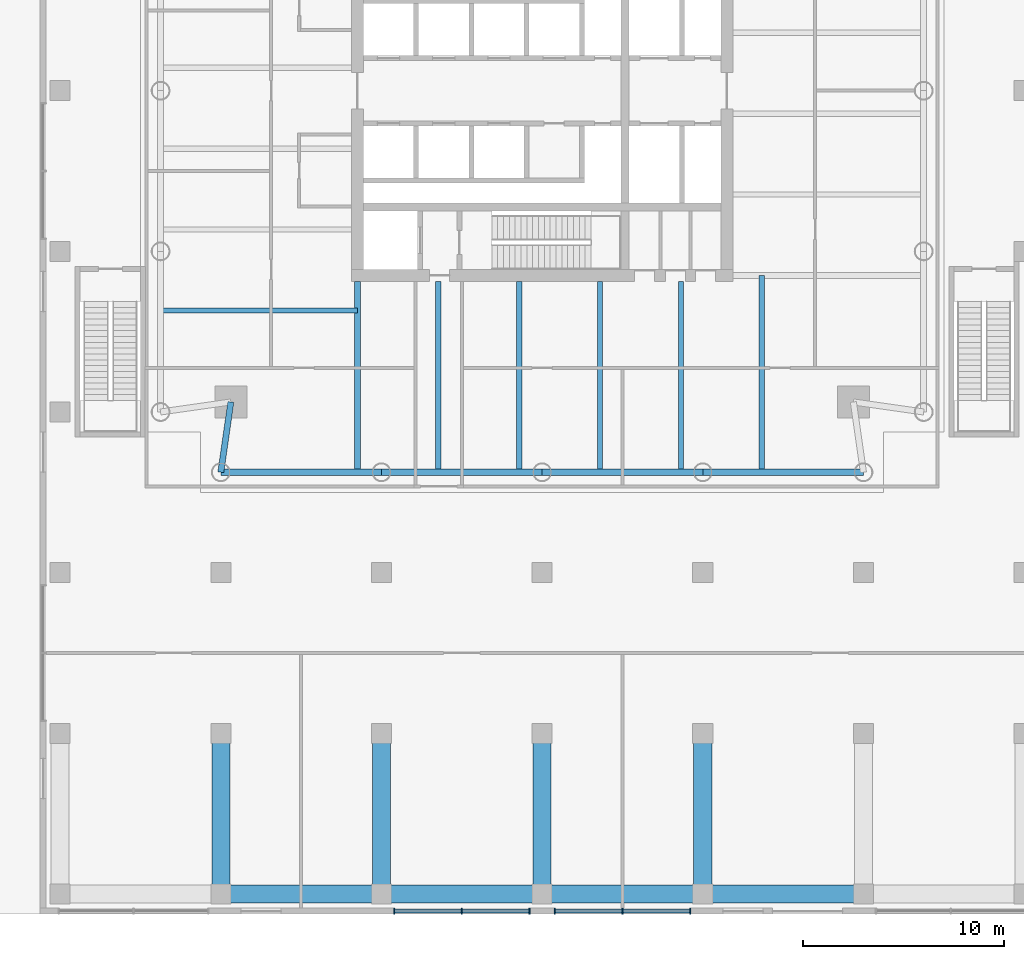
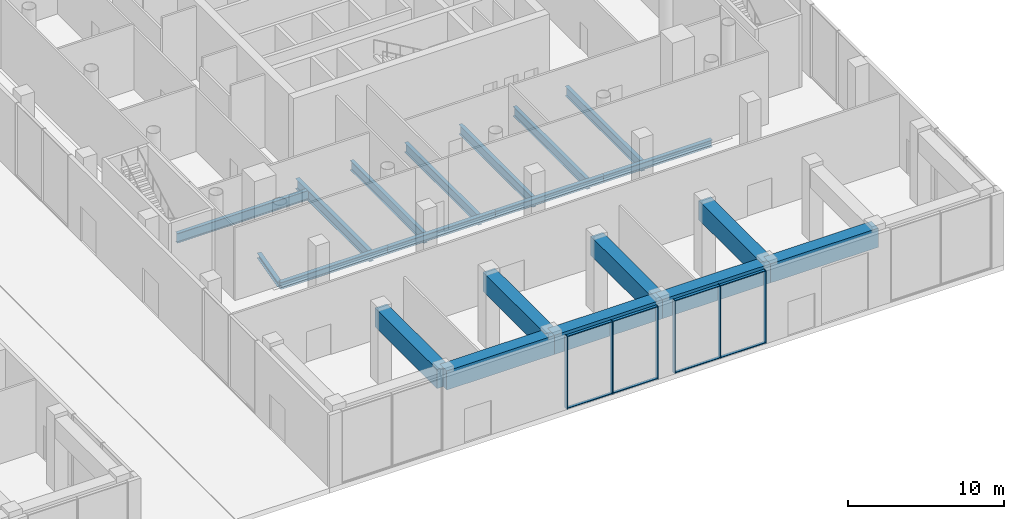
# One storey, part 10 of 39: 20 beams, 14 members, 2 elements without a shape of their own.
"""IFC4 building model written with IfcOpenShell, lengths in metres."""

from ifc_helpers import new_model, si_unit, direction, frame, origin, origin_2d, place, context, subcontext, project, spatial, rectangle, i_section, extrude, material, material_profile, profile_set, type_object, element, aggregate, save


model = new_model("IFC4")

# Units and contexts
model_context = context("Model", 3, precision=1e-05, world=origin(), true_north=direction((0.0, 1.0)))
body_context = subcontext(model_context, "Body", "Model", "MODEL_VIEW")
ifc_project = project(units=[si_unit("LENGTHUNIT", "METRE"), si_unit("AREAUNIT", "SQUARE_METRE"), si_unit("VOLUMEUNIT", "CUBIC_METRE"), si_unit("PLANEANGLEUNIT", "RADIAN"), si_unit("MASSUNIT", "GRAM", prefix="KILO")], contexts=[model_context])

# Site, building, storey
site_placement = place(None, origin())
site = spatial("IfcSite", under=ifc_project, at=site_placement, CompositionType="ELEMENT")
building_placement = place(site_placement, origin())
building = spatial("IfcBuilding", under=site, at=building_placement, Name="Ostroluk Exchange", CompositionType="ELEMENT")
storey_placement = place(building_placement, origin())
storey = spatial("IfcBuildingStorey", under=building, at=storey_placement, Name="L00", CompositionType="ELEMENT", Elevation=0.0)

# Beams
ifc_material_1 = material(Name="Steel S355", Category="steel")
ifc_material_profile_1 = material_profile(ifc_material_1, i_section(OverallWidth=0.300048828125, OverallDepth=0.39990234375, WebThickness=0.013427734375, FlangeThickness=0.02392578125, FilletRadius=0.027099609375, at=origin_2d()), Name="HEB 400")
ifc_profile_set_1 = profile_set([ifc_material_profile_1], Name="Steel S355")
beam_type_1 = type_object("IfcBeamType", Name="Corner edge beam HEB 400", PredefinedType="SPANDREL", material=ifc_profile_set_1)
beam_1_placement = place(storey_placement, frame((101.5, 30.5, -0.5), z_axis=(-0.141421356237, -0.989949493661, 0.0), x_axis=(0.989949493661, -0.141421356237, 0.0)))
element("IfcBeam", 1, at=beam_1_placement, inside=storey, type_object=beam_type_1, Name="T2 west corner edge beam b", PredefinedType="SPANDREL", context=body_context, shape_type="SweptSolid", body=[
    extrude(i_section(OverallWidth=0.300048828125, OverallDepth=0.39990234375, WebThickness=0.013427734375, FlangeThickness=0.02392578125, FilletRadius=0.027099609375, at=origin_2d()), origin(), (0.0, 0.0, 1.0), 3.53564453125),
])
ifc_material_2 = material(Name="Steel S355", Category="steel")
ifc_material_profile_2 = material_profile(ifc_material_2, i_section(OverallWidth=0.264892578125, OverallDepth=0.7529296875, WebThickness=0.01318359375, FlangeThickness=0.01708984375, FilletRadius=0.01708984375, at=origin_2d()), Name="IPE 750x147")
ifc_profile_set_2 = profile_set([ifc_material_profile_2], Name="Steel S355")
beam_type_2 = type_object("IfcBeamType", Name="Floor beam IPE 750x147", PredefinedType="BEAM", material=ifc_profile_set_2)
beam_2_placement = place(storey_placement, frame((107.800048828125, 35.05712890625, -0.676513671875), z_axis=(-1.0, 0.0, 0.0), x_axis=(0.0, -1.0, 0.0)))
element("IfcBeam", 2, at=beam_2_placement, inside=storey, type_object=beam_type_2, Name="T2 west floor beam 5", PredefinedType="BEAM", context=body_context, shape_type="SweptSolid", body=[
    extrude(i_section(OverallWidth=0.264892578125, OverallDepth=0.7529296875, WebThickness=0.01318359375, FlangeThickness=0.01708984375, FilletRadius=0.01708984375, at=origin_2d()), origin(), (0.0, 0.0, 1.0), 9.800048828125),
])
for number, where, z_axis, x_axis, name in (
    (3, (111.82861328125, 36.5, -0.676513671875), (0.0, -1.0, 0.0), (1.0, 0.0, 0.0), "T2 south floor beam 1"),
    (4, (115.857177734375, 36.5, -0.676513671875), (0.0, -1.0, 0.0), (1.0, 0.0, 0.0), "T2 south floor beam 2"),
    (5, (119.8857421875, 36.5, -0.676513671875), (0.0, -1.0, 0.0), (1.0, 0.0, 0.0), "T2 south floor beam 3"),
    (6, (123.914306640625, 36.5, -0.676513671875), (0.0, -1.0, 0.0), (1.0, 0.0, 0.0), "T2 south floor beam 4"),
):
    element("IfcBeam", number, at=place(storey_placement, frame(where, z_axis=z_axis, x_axis=x_axis)), inside=storey, type_object=beam_type_2, Name=name, PredefinedType="BEAM", context=body_context, shape_type="SweptSolid", body=[
        extrude(i_section(OverallWidth=0.264892578125, OverallDepth=0.7529296875, WebThickness=0.01318359375, FlangeThickness=0.01708984375, FilletRadius=0.01708984375, at=origin_2d()), origin(), (0.0, 0.0, 1.0), 9.5),
    ])
beam_3_placement = place(storey_placement, frame((127.94287109375, 36.800048828125, -0.676513671875), z_axis=(0.0, -1.0, 0.0), x_axis=(1.0, 0.0, 0.0)))
element("IfcBeam", 7, at=beam_3_placement, inside=storey, type_object=beam_type_2, Name="T2 south floor beam 5", PredefinedType="BEAM", context=body_context, shape_type="SweptSolid", body=[
    extrude(i_section(OverallWidth=0.264892578125, OverallDepth=0.7529296875, WebThickness=0.01318359375, FlangeThickness=0.01708984375, FilletRadius=0.01708984375, at=origin_2d()), origin(), (0.0, 0.0, 1.0), 9.800048828125),
])
ifc_material_3 = material(Name="Steel S355", Category="steel")
ifc_material_profile_3 = material_profile(ifc_material_3, i_section(OverallWidth=0.300048828125, OverallDepth=0.800048828125, WebThickness=0.017578125, FlangeThickness=0.032958984375, FilletRadius=0.030029296875, at=origin_2d()), Name="HEB 800")
ifc_profile_set_3 = profile_set([ifc_material_profile_3], Name="Steel S355")
beam_type_3 = type_object("IfcBeamType", Name="Girder HEB 800", PredefinedType="BEAM", material=ifc_profile_set_3)
beam_4_placement = place(storey_placement, frame((107.800048828125, 36.5, -0.699951171875), z_axis=(0.0, -1.0, 0.0), x_axis=(1.0, 0.0, 0.0)))
element("IfcBeam", 8, at=beam_4_placement, inside=storey, type_object=beam_type_3, Name="T2 west girder", PredefinedType="BEAM", context=body_context, shape_type="SweptSolid", body=[
    extrude(i_section(OverallWidth=0.300048828125, OverallDepth=0.800048828125, WebThickness=0.017578125, FlangeThickness=0.032958984375, FilletRadius=0.030029296875, at=origin_2d()), origin(), (0.0, 0.0, 1.0), 9.5),
])
ifc_material_4 = material(Name="Steel S355", Category="steel")
ifc_material_profile_4 = material_profile(ifc_material_4, i_section(OverallWidth=0.300048828125, OverallDepth=0.550048828125, WebThickness=0.014892578125, FlangeThickness=0.029052734375, FilletRadius=0.027099609375, at=origin_2d()), Name="HEB 550")
ifc_profile_set_4 = profile_set([ifc_material_profile_4], Name="Steel S355")
beam_type_4 = type_object("IfcBeamType", Name="Moment-connected edge beam HEB 550", PredefinedType="SPANDREL", material=ifc_profile_set_4)
for number, where, z_axis, x_axis, name in (
    (9, (101.0, 27.0, -0.574951171875), (1.0, 0.0, 0.0), (0.0, 1.0, 0.0), "T2 south edge beam 1"),
    (10, (109.0, 27.0, -0.574951171875), (1.0, 0.0, 0.0), (0.0, 1.0, 0.0), "T2 south edge beam 2"),
    (11, (117.0, 27.0, -0.574951171875), (1.0, 0.0, 0.0), (0.0, 1.0, 0.0), "T2 south edge beam 3"),
    (12, (125.0, 27.0, -0.574951171875), (1.0, 0.0, 0.0), (0.0, 1.0, 0.0), "T2 south edge beam 4"),
):
    element("IfcBeam", number, at=place(storey_placement, frame(where, z_axis=z_axis, x_axis=x_axis)), inside=storey, type_object=beam_type_4, Name=name, PredefinedType="SPANDREL", context=body_context, shape_type="SweptSolid", body=[
        extrude(i_section(OverallWidth=0.300048828125, OverallDepth=0.550048828125, WebThickness=0.014892578125, FlangeThickness=0.029052734375, FilletRadius=0.027099609375, at=origin_2d()), origin(), (0.0, 0.0, 1.0), 8.0),
    ])
ifc_material_5 = material(Name="Concrete C50/60", Category="concrete")
ifc_material_profile_5 = material_profile(ifc_material_5, rectangle(XDim=0.89990234375, YDim=1.5, at=origin_2d()), Name="RC 900x1500")
ifc_profile_set_5 = profile_set([ifc_material_profile_5], Name="Concrete C50/60")
beam_type_5 = type_object("IfcBeamType", Name="Podium edge beam RC 900x1500", PredefinedType="BEAM", material=ifc_profile_set_5)
for number, where, z_axis, x_axis, name in (
    (13, (101.0, 6.0, 4.949951171875), (0.0, 1.0, 0.0), (-1.0, 0.0, 0.0), "Terrace beam L01 east S 101"),
    (14, (109.0, 6.0, 4.949951171875), (0.0, 1.0, 0.0), (-1.0, 0.0, 0.0), "Terrace beam L01 east S 109"),
    (15, (117.0, 6.0, 4.949951171875), (0.0, 1.0, 0.0), (-1.0, 0.0, 0.0), "Terrace beam L01 east S 117"),
    (16, (125.0, 6.0, 4.949951171875), (0.0, 1.0, 0.0), (-1.0, 0.0, 0.0), "Terrace beam L01 east S 125"),
    (17, (101.0, 6.0, 4.949951171875), (1.0, 0.0, 0.0), (0.0, 1.0, 0.0), "Terrace bay beam L01 Y6-101"),
    (18, (109.0, 6.0, 4.949951171875), (1.0, 0.0, 0.0), (0.0, 1.0, 0.0), "Terrace bay beam L01 Y6-109"),
    (19, (117.0, 6.0, 4.949951171875), (1.0, 0.0, 0.0), (0.0, 1.0, 0.0), "Terrace bay beam L01 Y6-117"),
    (20, (125.0, 6.0, 4.949951171875), (1.0, 0.0, 0.0), (0.0, 1.0, 0.0), "Terrace bay beam L01 Y6-125"),
):
    element("IfcBeam", number, at=place(storey_placement, frame(where, z_axis=z_axis, x_axis=x_axis)), inside=storey, type_object=beam_type_5, Name=name, PredefinedType="BEAM", context=body_context, shape_type="SweptSolid", body=[
        extrude(rectangle(XDim=0.89990234375, YDim=1.5, at=origin_2d()), origin(), (0.0, 0.0, 1.0), 8.0),
    ])

# Curtain wall, members
ifc_material_6 = material(Name="Laminated clear glass", Category="glass")
curtain_wall_type = type_object("IfcCurtainWallType", Name="Podium shopfront", PredefinedType="USERDEFINED", material=ifc_material_6)
curtain_wall_1_placement = place(storey_placement, origin())
curtain_wall_1 = element("IfcCurtainWall", 21, at=curtain_wall_1_placement, inside=storey, type_object=curtain_wall_type, Name="Podium east S shopfront 2", ObjectType="STICK SHOPFRONT", PredefinedType="USERDEFINED")
ifc_material_7 = material(Name="Aluminium mullion", Category="aluminium")
ifc_material_profile_6 = material_profile(ifc_material_7, rectangle(XDim=0.300048828125, YDim=0.06005859375, at=origin_2d()), Name="Shopfront mullion 60 x 300")
ifc_profile_set_6 = profile_set([ifc_material_profile_6], Name="Aluminium mullion")
member_type_1 = type_object("IfcMemberType", Name="Shopfront mullion 60 x 300", PredefinedType="MULLION", material=ifc_profile_set_6)
member_1_placement = place(storey_placement, frame((109.6298828125, 5.14990234375, 0.0), z_axis=(0.0, 0.0, 1.0), x_axis=(0.0, 1.0, 0.0)))
member_1 = element("IfcMember", 22, at=member_1_placement, type_object=member_type_1, Name="CW-SF1 mullion 1", PredefinedType="MULLION", context=body_context, shape_type="SweptSolid", body=[
    extrude(rectangle(XDim=0.300048828125, YDim=0.06005859375, at=origin_2d()), origin(), (0.0, 0.0, 1.0), 5.699951171875),
])
member_2_placement = place(storey_placement, frame((113.0, 5.14990234375, 0.0), z_axis=(0.0, 0.0, 1.0), x_axis=(0.0, 1.0, 0.0)))
member_2 = element("IfcMember", 23, at=member_2_placement, type_object=member_type_1, Name="CW-SF1 mullion 2", PredefinedType="MULLION", context=body_context, shape_type="SweptSolid", body=[
    extrude(rectangle(XDim=0.300048828125, YDim=0.06005859375, at=origin_2d()), origin(), (0.0, 0.0, 1.0), 5.699951171875),
])
member_3_placement = place(storey_placement, frame((116.3701171875, 5.14990234375, 0.0), z_axis=(0.0, 0.0, 1.0), x_axis=(0.0, 1.0, 0.0)))
member_3 = element("IfcMember", 24, at=member_3_placement, type_object=member_type_1, Name="CW-SF1 mullion 3", PredefinedType="MULLION", context=body_context, shape_type="SweptSolid", body=[
    extrude(rectangle(XDim=0.300048828125, YDim=0.06005859375, at=origin_2d()), origin(), (0.0, 0.0, 1.0), 5.699951171875),
])

curtain_wall_2_placement = place(storey_placement, origin())
curtain_wall_2 = element("IfcCurtainWall", 25, at=curtain_wall_2_placement, inside=storey, type_object=curtain_wall_type, Name="Podium east S shopfront 3", ObjectType="STICK SHOPFRONT", PredefinedType="USERDEFINED")
member_4_placement = place(storey_placement, frame((117.6298828125, 5.14990234375, 0.0), z_axis=(0.0, 0.0, 1.0), x_axis=(0.0, 1.0, 0.0)))
member_4 = element("IfcMember", 26, at=member_4_placement, type_object=member_type_1, Name="CW-SF1 mullion 1", PredefinedType="MULLION", context=body_context, shape_type="SweptSolid", body=[
    extrude(rectangle(XDim=0.300048828125, YDim=0.06005859375, at=origin_2d()), origin(), (0.0, 0.0, 1.0), 5.699951171875),
])
member_5_placement = place(storey_placement, frame((121.0, 5.14990234375, 0.0), z_axis=(0.0, 0.0, 1.0), x_axis=(0.0, 1.0, 0.0)))
member_5 = element("IfcMember", 27, at=member_5_placement, type_object=member_type_1, Name="CW-SF1 mullion 2", PredefinedType="MULLION", context=body_context, shape_type="SweptSolid", body=[
    extrude(rectangle(XDim=0.300048828125, YDim=0.06005859375, at=origin_2d()), origin(), (0.0, 0.0, 1.0), 5.699951171875),
])
member_6_placement = place(storey_placement, frame((124.3701171875, 5.14990234375, 0.0), z_axis=(0.0, 0.0, 1.0), x_axis=(0.0, 1.0, 0.0)))
member_6 = element("IfcMember", 28, at=member_6_placement, type_object=member_type_1, Name="CW-SF1 mullion 3", PredefinedType="MULLION", context=body_context, shape_type="SweptSolid", body=[
    extrude(rectangle(XDim=0.300048828125, YDim=0.06005859375, at=origin_2d()), origin(), (0.0, 0.0, 1.0), 5.699951171875),
])

# Member
ifc_material_8 = material(Name="Aluminium mullion", Category="aluminium")
ifc_material_profile_7 = material_profile(ifc_material_8, rectangle(XDim=0.199951171875, YDim=0.06005859375, at=origin_2d()), Name="Shopfront transom 60 x 200")
ifc_profile_set_7 = profile_set([ifc_material_profile_7], Name="Aluminium mullion")
member_type_2 = type_object("IfcMemberType", Name="Shopfront transom 60 x 200", PredefinedType="USERDEFINED", material=ifc_profile_set_7)
member_7_placement = place(storey_placement, frame((109.659912109375, 5.14990234375, 0.030029296875), z_axis=(1.0, 0.0, 0.0), x_axis=(0.0, 1.0, 0.0)))
member_7 = element("IfcMember", 29, at=member_7_placement, type_object=member_type_2, Name="CW-SF1 transom 1.1", ObjectType="TRANSOM", PredefinedType="USERDEFINED", context=body_context, shape_type="SweptSolid", body=[
    extrude(rectangle(XDim=0.199951171875, YDim=0.06005859375, at=origin_2d()), origin(), (0.0, 0.0, 1.0), 3.31005859375),
])

member_8_placement = place(storey_placement, frame((109.659912109375, 5.14990234375, 5.669921875), z_axis=(1.0, 0.0, 0.0), x_axis=(0.0, 1.0, 0.0)))
member_8 = element("IfcMember", 30, at=member_8_placement, type_object=member_type_2, Name="CW-SF1 transom 1.2", ObjectType="TRANSOM", PredefinedType="USERDEFINED", context=body_context, shape_type="SweptSolid", body=[
    extrude(rectangle(XDim=0.199951171875, YDim=0.06005859375, at=origin_2d()), origin(), (0.0, 0.0, 1.0), 3.31005859375),
])

member_9_placement = place(storey_placement, frame((113.030029296875, 5.14990234375, 0.030029296875), z_axis=(1.0, 0.0, 0.0), x_axis=(0.0, 1.0, 0.0)))
member_9 = element("IfcMember", 31, at=member_9_placement, type_object=member_type_2, Name="CW-SF1 transom 2.1", ObjectType="TRANSOM", PredefinedType="USERDEFINED", context=body_context, shape_type="SweptSolid", body=[
    extrude(rectangle(XDim=0.199951171875, YDim=0.06005859375, at=origin_2d()), origin(), (0.0, 0.0, 1.0), 3.31005859375),
])

member_10_placement = place(storey_placement, frame((113.030029296875, 5.14990234375, 5.669921875), z_axis=(1.0, 0.0, 0.0), x_axis=(0.0, 1.0, 0.0)))
member_10 = element("IfcMember", 32, at=member_10_placement, type_object=member_type_2, Name="CW-SF1 transom 2.2", ObjectType="TRANSOM", PredefinedType="USERDEFINED", context=body_context, shape_type="SweptSolid", body=[
    extrude(rectangle(XDim=0.199951171875, YDim=0.06005859375, at=origin_2d()), origin(), (0.0, 0.0, 1.0), 3.31005859375),
])

aggregate(curtain_wall_1, [member_1, member_2, member_3, member_7, member_8, member_9, member_10])

member_11_placement = place(storey_placement, frame((117.659912109375, 5.14990234375, 0.030029296875), z_axis=(1.0, 0.0, 0.0), x_axis=(0.0, 1.0, 0.0)))
member_11 = element("IfcMember", 33, at=member_11_placement, type_object=member_type_2, Name="CW-SF1 transom 1.1", ObjectType="TRANSOM", PredefinedType="USERDEFINED", context=body_context, shape_type="SweptSolid", body=[
    extrude(rectangle(XDim=0.199951171875, YDim=0.06005859375, at=origin_2d()), origin(), (0.0, 0.0, 1.0), 3.31005859375),
])

member_12_placement = place(storey_placement, frame((117.659912109375, 5.14990234375, 5.669921875), z_axis=(1.0, 0.0, 0.0), x_axis=(0.0, 1.0, 0.0)))
member_12 = element("IfcMember", 34, at=member_12_placement, type_object=member_type_2, Name="CW-SF1 transom 1.2", ObjectType="TRANSOM", PredefinedType="USERDEFINED", context=body_context, shape_type="SweptSolid", body=[
    extrude(rectangle(XDim=0.199951171875, YDim=0.06005859375, at=origin_2d()), origin(), (0.0, 0.0, 1.0), 3.31005859375),
])

member_13_placement = place(storey_placement, frame((121.030029296875, 5.14990234375, 0.030029296875), z_axis=(1.0, 0.0, 0.0), x_axis=(0.0, 1.0, 0.0)))
member_13 = element("IfcMember", 35, at=member_13_placement, type_object=member_type_2, Name="CW-SF1 transom 2.1", ObjectType="TRANSOM", PredefinedType="USERDEFINED", context=body_context, shape_type="SweptSolid", body=[
    extrude(rectangle(XDim=0.199951171875, YDim=0.06005859375, at=origin_2d()), origin(), (0.0, 0.0, 1.0), 3.31005859375),
])

member_14_placement = place(storey_placement, frame((121.030029296875, 5.14990234375, 5.669921875), z_axis=(1.0, 0.0, 0.0), x_axis=(0.0, 1.0, 0.0)))
member_14 = element("IfcMember", 36, at=member_14_placement, type_object=member_type_2, Name="CW-SF1 transom 2.2", ObjectType="TRANSOM", PredefinedType="USERDEFINED", context=body_context, shape_type="SweptSolid", body=[
    extrude(rectangle(XDim=0.199951171875, YDim=0.06005859375, at=origin_2d()), origin(), (0.0, 0.0, 1.0), 3.31005859375),
])

aggregate(curtain_wall_2, [member_4, member_5, member_6, member_11, member_12, member_13, member_14])

save(model, "model.ifc")
